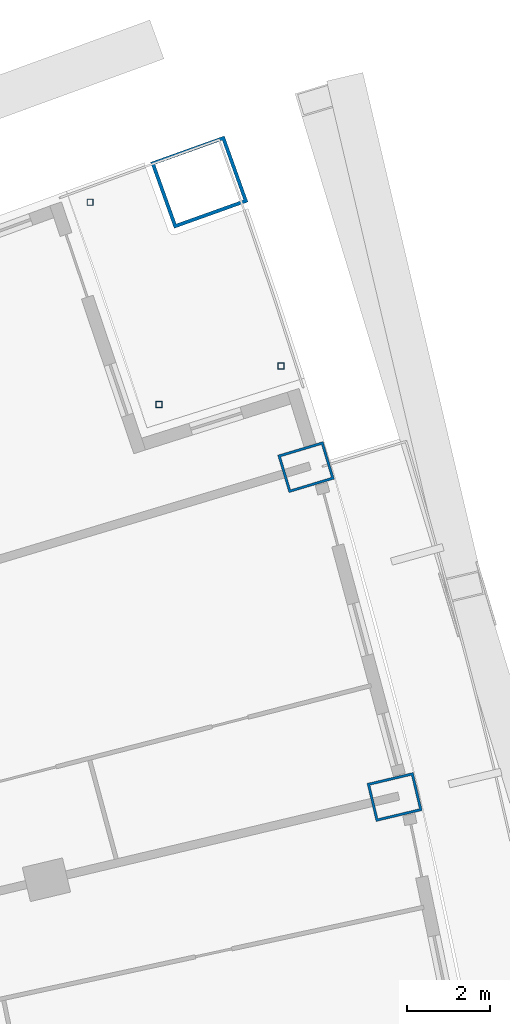
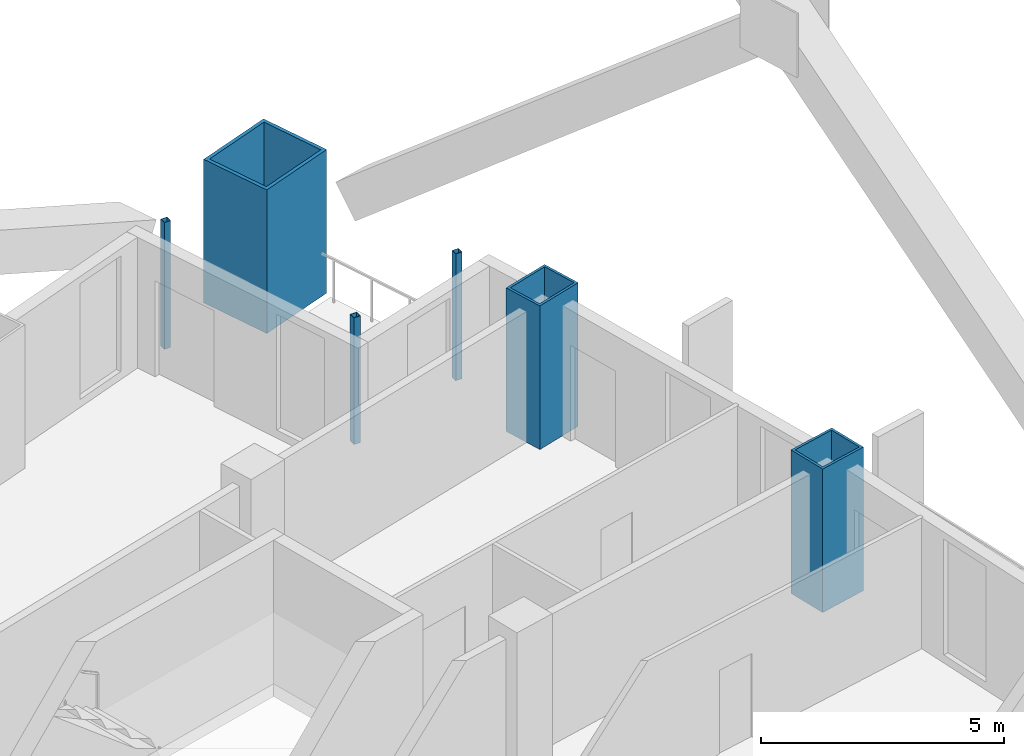
# One storey, part 11 of 26: 6 columns.
"""IFC4 building model written with IfcOpenShell, lengths in metres."""

from ifc_helpers import new_model, si_unit, direction, frame, origin, origin_2d, place, context, subcontext, project, spatial, hollow_rectangle, extrude, material, material_profile, profile_set, type_object, element, save


model = new_model("IFC4")

# Units and contexts
model_context = context("Model", 3, precision=1e-05, world=origin(), true_north=direction((0.0, 1.0)))
body_context = subcontext(model_context, "Body", "Model", "MODEL_VIEW")
ifc_project = project(units=[si_unit("LENGTHUNIT", "METRE"), si_unit("AREAUNIT", "SQUARE_METRE"), si_unit("VOLUMEUNIT", "CUBIC_METRE"), si_unit("PLANEANGLEUNIT", "RADIAN"), si_unit("MASSUNIT", "GRAM", prefix="KILO")], contexts=[model_context])

# Site, building, storey
site_placement = place(None, origin())
site = spatial("IfcSite", under=ifc_project, at=site_placement, CompositionType="ELEMENT")
building_placement = place(site_placement, origin())
building = spatial("IfcBuilding", under=site, at=building_placement, Name="Alderwake Tower", CompositionType="ELEMENT")
storey_placement = place(building_placement, frame((0.0, 0.0, 82.39990234375)))
storey = spatial("IfcBuildingStorey", under=building, at=storey_placement, Name="L19", CompositionType="ELEMENT", Elevation=82.39990234375)

# Columns
ifc_material_1 = material(Name="Steel ASTM A500 Grade C", Category="steel")
ifc_material_profile_1 = material_profile(ifc_material_1, hollow_rectangle(XDim=0.15234375, YDim=0.15234375, WallThickness=0.0087890625, at=origin_2d()), Name="HSS6X6X3/8")
ifc_profile_set_1 = profile_set([ifc_material_profile_1], Name="Steel ASTM A500 Grade C")
column_type_1 = type_object("IfcColumnType", Name="Light post HSS6X6X3/8", PredefinedType="COLUMN", material=ifc_profile_set_1)
for number, where, z_axis, x_axis, name in (
    (1, (55.208740234375, 104.224609375, 0.0), (0.0, 0.0, 1.0), (1.0, 0.0, 0.0), "Terrace post FN1"),
    (2, (50.58544921875, 108.1884765625, 0.0), (0.0, 0.0, 1.0), (1.0, 0.0, 0.0), "Terrace post FN2"),
    (3, (52.253173828125, 103.2900390625, 0.0), (0.0, 0.0, 1.0), (1.0, 0.0, 0.0), "Terrace post FN3"),
):
    element("IfcColumn", number, at=place(storey_placement, frame(where, z_axis=z_axis, x_axis=x_axis)), inside=storey, type_object=column_type_1, Name=name, PredefinedType="COLUMN", context=body_context, shape_type="SweptSolid", body=[
        extrude(hollow_rectangle(XDim=0.15234375, YDim=0.15234375, WallThickness=0.0087890625, at=origin_2d()), origin(), (0.0, 0.0, 1.0), 3.18017578125),
    ])
ifc_material_2 = material(Name="Steel ASTM A572 Grade 50 concrete filled C70/85", Category="concrete")
ifc_material_profile_2 = material_profile(ifc_material_2, hollow_rectangle(XDim=1.699951171875, YDim=1.89990234375, WallThickness=0.0849609375, at=origin_2d()), Name="BOX 1900X1700X85")
ifc_profile_set_2 = profile_set([ifc_material_profile_2], Name="Steel ASTM A572 Grade 50 concrete filled C70/85")
column_type_2 = type_object("IfcColumnType", Name="Mega column Z2", PredefinedType="COLUMN", material=ifc_profile_set_2)
column_placement = place(storey_placement, frame((53.2265625, 108.67529296875, 0.0), z_axis=(0.0, 0.0, 1.0), x_axis=(-0.336929292402, 0.941529952748, 0.0)))
element("IfcColumn", 4, at=column_placement, inside=storey, type_object=column_type_2, Name="Column R13-C5", PredefinedType="COLUMN", context=body_context, shape_type="SweptSolid", body=[
    extrude(hollow_rectangle(XDim=1.699951171875, YDim=1.89990234375, WallThickness=0.0849609375, at=origin_2d()), origin(), (0.0, 0.0, 1.0), 3.60009765625),
])
ifc_material_3 = material(Name="Steel ASTM A572 Grade 50 concrete filled C70/85", Category="concrete")
ifc_material_profile_3 = material_profile(ifc_material_3, hollow_rectangle(XDim=0.949951171875, YDim=1.14990234375, WallThickness=0.06005859375, at=origin_2d()), Name="BOX 1150X950X60")
ifc_profile_set_3 = profile_set([ifc_material_profile_3], Name="Steel ASTM A572 Grade 50 concrete filled C70/85")
column_type_3 = type_object("IfcColumnType", Name="Perimeter column Z2", PredefinedType="COLUMN", material=ifc_profile_set_3)
for number, where, z_axis, x_axis, name in (
    (5, (57.95751953125, 93.787353515625, 0.0), (0.0, 0.0, 1.0), (-0.231221547198, 0.972901123502, 0.0), "Column R11-C5"),
    (6, (55.811279296875, 101.7744140625, 0.0), (0.0, 0.0, 1.0), (-0.287549418125, 0.957765802342, 0.0), "Column R12-C5"),
):
    element("IfcColumn", number, at=place(storey_placement, frame(where, z_axis=z_axis, x_axis=x_axis)), inside=storey, type_object=column_type_3, Name=name, PredefinedType="COLUMN", context=body_context, shape_type="SweptSolid", body=[
        extrude(hollow_rectangle(XDim=0.949951171875, YDim=1.14990234375, WallThickness=0.06005859375, at=origin_2d()), origin(), (0.0, 0.0, 1.0), 3.60009765625),
    ])

save(model, "model.ifc")
